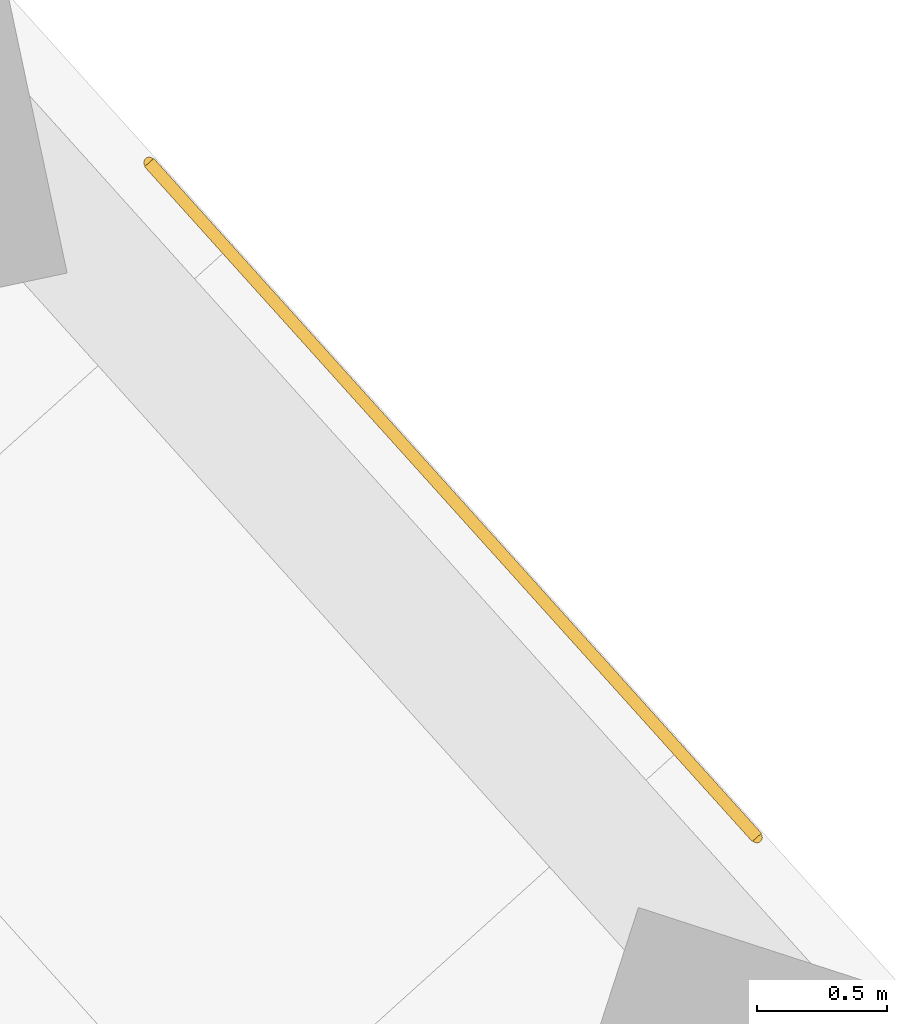
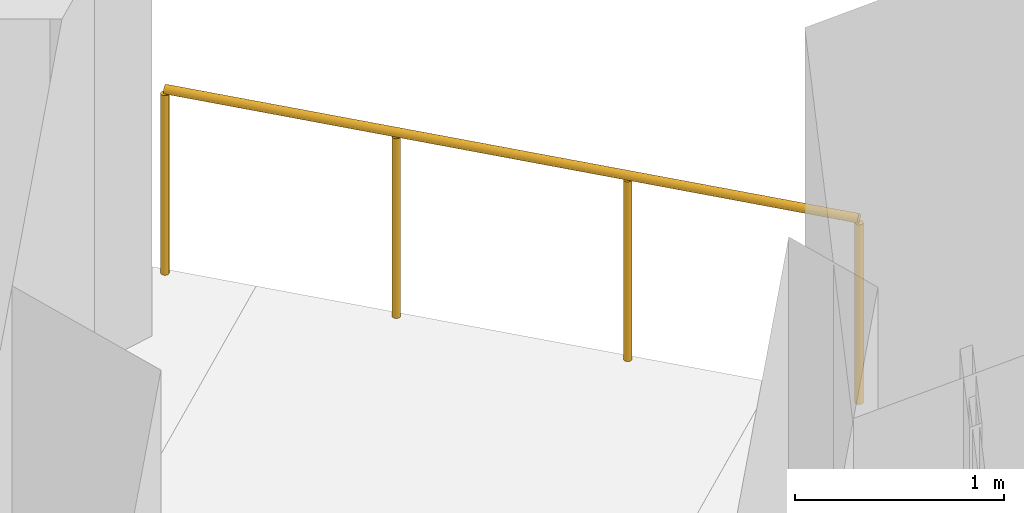
# One storey, part 17 of 17: 1 railing.
"""IFC4 building model written with IfcOpenShell, lengths in metres."""

from ifc_helpers import new_model, si_unit, direction, frame, origin, origin_2d, place, context, subcontext, project, spatial, circle, extrude, material, type_object, element, save


model = new_model("IFC4")

# Units and contexts
model_context = context("Model", 3, precision=1e-05, world=origin(), true_north=direction((0.0, 1.0)))
body_context = subcontext(model_context, "Body", "Model", "MODEL_VIEW")
ifc_project = project(units=[si_unit("LENGTHUNIT", "METRE"), si_unit("AREAUNIT", "SQUARE_METRE"), si_unit("VOLUMEUNIT", "CUBIC_METRE"), si_unit("PLANEANGLEUNIT", "RADIAN"), si_unit("MASSUNIT", "GRAM", prefix="KILO")], contexts=[model_context])

# Site, building, storey
site_placement = place(None, origin())
site = spatial("IfcSite", under=ifc_project, at=site_placement, CompositionType="ELEMENT")
building_placement = place(site_placement, origin())
building = spatial("IfcBuilding", under=site, at=building_placement, Name="Tramontana Tower", CompositionType="ELEMENT")
storey_placement = place(building_placement, frame((0.0, 0.0, 348.39990234375)))
storey = spatial("IfcBuildingStorey", under=building, at=storey_placement, Name="L80", CompositionType="ELEMENT", Elevation=348.39990234375)

# Railing
ifc_material = material(Name="Laminated glass balustrade", Category="glass")
railing_type = type_object("IfcRailingType", Name="GD1 Loggia glass balustrade 1100", PredefinedType="BALUSTRADE", material=ifc_material)
railing_placement = place(storey_placement, frame((17.7568359375, 18.34326171875, 0.0)))
element("IfcRailing", 1, at=railing_placement, inside=storey, type_object=railing_type, Name="Corner loggia balustrade L80 K82", PredefinedType="BALUSTRADE", context=body_context, shape_type="SweptSolid", body=[
    extrude(circle(Radius=0.02392578125, at=origin_2d()), frame((0.0, 0.0, 1.076171875), z_axis=(0.669134277936, -0.743141519559, 0.0), x_axis=(0.743141519559, 0.669134277936, 0.0)), (0.0, 0.0, 1.0), 3.5),
    extrude(circle(Radius=0.02099609375, at=origin_2d()), origin(), (0.0, 0.0, 1.0), 1.052001953125),
    extrude(circle(Radius=0.02099609375, at=origin_2d()), frame((0.78076171875, -0.866943359375, 0.0)), (0.0, 0.0, 1.0), 1.052001953125),
    extrude(circle(Radius=0.02099609375, at=origin_2d()), frame((1.561279296875, -1.734130859375, 0.0)), (0.0, 0.0, 1.0), 1.052001953125),
    extrude(circle(Radius=0.02099609375, at=origin_2d()), frame((2.342041015625, -2.60107421875, 0.0)), (0.0, 0.0, 1.0), 1.052001953125),
])

save(model, "model.ifc")
